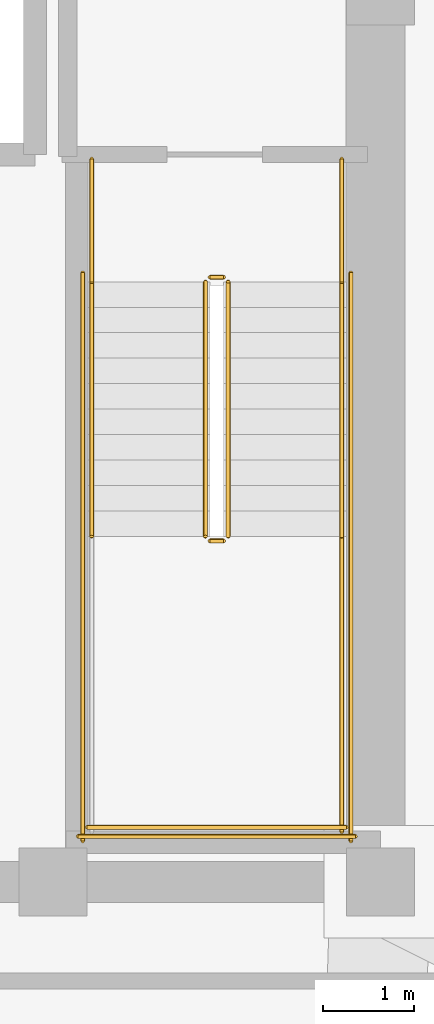
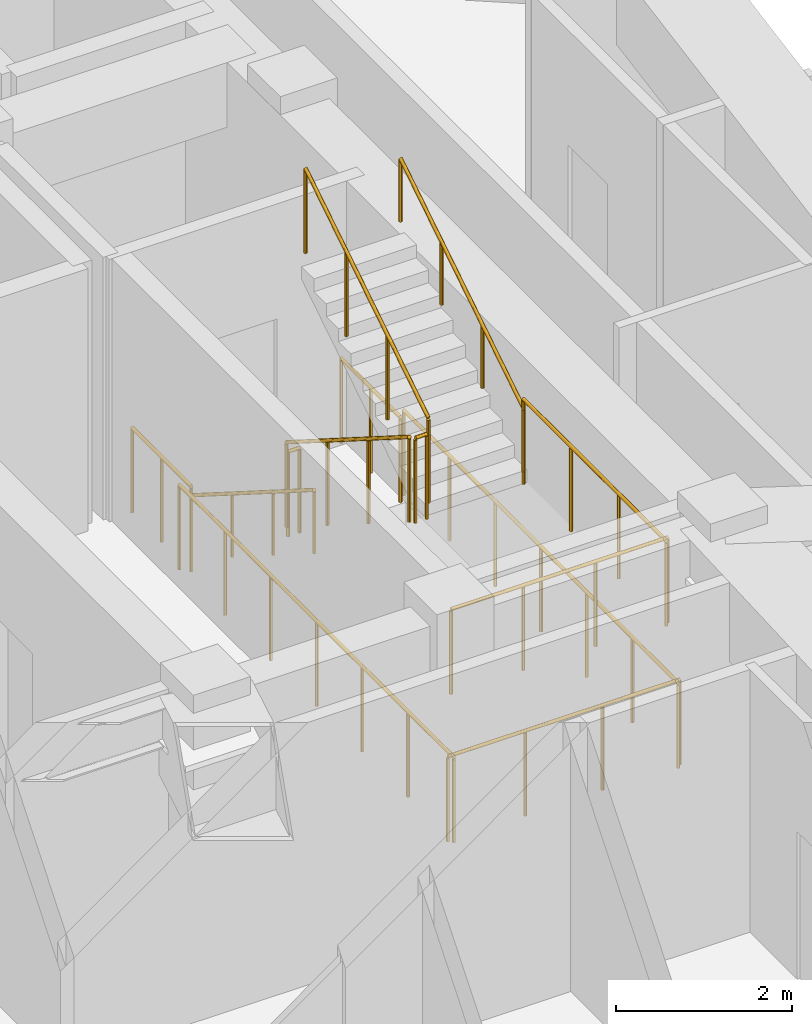
# One storey, part 16 of 16: 13 railings.
"""IFC4 building model written with IfcOpenShell, lengths in metres."""

from ifc_helpers import new_model, si_unit, direction, frame, origin, origin_2d, place, context, subcontext, project, spatial, circle, extrude, material, type_object, element, save


model = new_model("IFC4")

# Units and contexts
model_context = context("Model", 3, precision=1e-05, world=origin(), true_north=direction((0.0, 1.0)))
body_context = subcontext(model_context, "Body", "Model", "MODEL_VIEW")
ifc_project = project(units=[si_unit("LENGTHUNIT", "METRE"), si_unit("AREAUNIT", "SQUARE_METRE"), si_unit("VOLUMEUNIT", "CUBIC_METRE"), si_unit("PLANEANGLEUNIT", "RADIAN"), si_unit("MASSUNIT", "GRAM", prefix="KILO")], contexts=[model_context])

# Site, building, storey
site_placement = place(None, origin())
site = spatial("IfcSite", under=ifc_project, at=site_placement, CompositionType="ELEMENT")
building_placement = place(site_placement, origin())
building = spatial("IfcBuilding", under=site, at=building_placement, Name="Voryun Gate Residences", CompositionType="ELEMENT")
storey_placement = place(building_placement, frame((0.0, 0.0, 260.0)))
storey = spatial("IfcBuildingStorey", under=building, at=storey_placement, Name="L64", CompositionType="ELEMENT", Elevation=260.0)

# Railings
ifc_material_1 = material(Name="Painted steel", Category="steel")
railing_type_1 = type_object("IfcRailingType", Name="RAIL_STAIR_GUARD_1200", PredefinedType="GUARDRAIL", material=ifc_material_1)
railing_1_placement = place(storey_placement, frame((17.27490234375, -0.800048828125, 0.17724609375)))
element("IfcRailing", 1, at=railing_1_placement, inside=storey, type_object=railing_type_1, Name="L64 ST-E1 stair guard 1", PredefinedType="GUARDRAIL", context=body_context, shape_type="SweptSolid", body=[
    extrude(circle(Radius=0.02392578125, at=origin_2d()), frame((0.0, 0.0, 1.17578125), z_axis=(0.0, -0.844908973607, 0.534910110503), x_axis=(1.0, 0.0, 0.0)), (0.0, 0.0, 1.0), 3.31396484375),
    extrude(circle(Radius=0.02099609375, at=origin_2d()), origin(), (0.0, 0.0, 1.0), 1.15185546875),
    extrude(circle(Radius=0.02099609375, at=origin_2d()), frame((0.0, -0.933349609375, 0.5908203125)), (0.0, 0.0, 1.0), 1.15185546875),
    extrude(circle(Radius=0.02099609375, at=origin_2d()), frame((0.0, -1.86669921875, 1.181884765625)), (0.0, 0.0, 1.0), 1.15185546875),
    extrude(circle(Radius=0.02099609375, at=origin_2d()), frame((0.0, -2.800048828125, 1.772705078125)), (0.0, 0.0, 1.0), 1.15185546875),
])
railing_2_placement = place(storey_placement, frame((17.324951171875, -3.64990234375, 1.949951171875)))
element("IfcRailing", 2, at=railing_2_placement, inside=storey, type_object=railing_type_1, Name="L64 ST-E1 stair guard 2", PredefinedType="GUARDRAIL", context=body_context, shape_type="SweptSolid", body=[
    extrude(circle(Radius=0.02392578125, at=origin_2d()), frame((0.0, 0.0, 1.17578125), z_axis=(1.0, 0.0, 0.0), x_axis=(0.0, 1.0, 0.0)), (0.0, 0.0, 1.0), 0.150146484375),
    extrude(circle(Radius=0.02099609375, at=origin_2d()), origin(), (0.0, 0.0, 1.0), 1.15185546875),
    extrude(circle(Radius=0.02099609375, at=origin_2d()), frame((0.150146484375, 0.0, 0.0)), (0.0, 0.0, 1.0), 1.15185546875),
])
railing_3_placement = place(storey_placement, frame((18.77490234375, -3.60009765625, 1.949951171875)))
element("IfcRailing", 3, at=railing_3_placement, inside=storey, type_object=railing_type_1, Name="L64 ST-E1 stair guard 4", PredefinedType="GUARDRAIL", context=body_context, shape_type="SweptSolid", body=[
    extrude(circle(Radius=0.02392578125, at=origin_2d()), frame((0.0, 0.0, 1.17578125), z_axis=(0.0, -1.0, 0.0), x_axis=(1.0, 0.0, 0.0)), (0.0, 0.0, 1.0), 3.25),
    extrude(circle(Radius=0.02099609375, at=origin_2d()), origin(), (0.0, 0.0, 1.0), 1.15185546875),
    extrude(circle(Radius=0.02099609375, at=origin_2d()), frame((0.0, -1.083251953125, 0.0)), (0.0, 0.0, 1.0), 1.15185546875),
    extrude(circle(Radius=0.02099609375, at=origin_2d()), frame((0.0, -2.166748046875, 0.0)), (0.0, 0.0, 1.0), 1.15185546875),
    extrude(circle(Radius=0.02099609375, at=origin_2d()), frame((0.0, -3.25, 0.0)), (0.0, 0.0, 1.0), 1.15185546875),
])
railing_4_placement = place(storey_placement, frame((15.97509765625, -6.800048828125, 1.949951171875)))
element("IfcRailing", 4, at=railing_4_placement, inside=storey, type_object=railing_type_1, Name="L64 ST-E1 stair guard 5", PredefinedType="GUARDRAIL", context=body_context, shape_type="SweptSolid", body=[
    extrude(circle(Radius=0.02392578125, at=origin_2d()), frame((0.0, 0.0, 1.17578125), z_axis=(1.0, 0.0, 0.0), x_axis=(0.0, 1.0, 0.0)), (0.0, 0.0, 1.0), 2.849853515625),
    extrude(circle(Radius=0.02099609375, at=origin_2d()), origin(), (0.0, 0.0, 1.0), 1.15185546875),
    extrude(circle(Radius=0.02099609375, at=origin_2d()), frame((0.949951171875, 0.0, 0.0)), (0.0, 0.0, 1.0), 1.15185546875),
    extrude(circle(Radius=0.02099609375, at=origin_2d()), frame((1.89990234375, 0.0, 0.0)), (0.0, 0.0, 1.0), 1.15185546875),
    extrude(circle(Radius=0.02099609375, at=origin_2d()), frame((2.849853515625, 0.0, 0.0)), (0.0, 0.0, 1.0), 1.15185546875),
])
railing_5_placement = place(storey_placement, frame((17.52490234375, -3.60009765625, 2.127197265625)))
element("IfcRailing", 5, at=railing_5_placement, inside=storey, type_object=railing_type_1, Name="L64 ST-E1 stair guard 6", PredefinedType="GUARDRAIL", context=body_context, shape_type="SweptSolid", body=[
    extrude(circle(Radius=0.02392578125, at=origin_2d()), frame((0.0, 0.0, 1.17578125), z_axis=(0.0, 0.844908973607, 0.534910110503), x_axis=(-1.0, 0.0, 0.0)), (0.0, 0.0, 1.0), 3.31396484375),
    extrude(circle(Radius=0.02099609375, at=origin_2d()), origin(), (0.0, 0.0, 1.0), 1.15185546875),
    extrude(circle(Radius=0.02099609375, at=origin_2d()), frame((0.0, 0.933349609375, 0.5908203125)), (0.0, 0.0, 1.0), 1.15185546875),
    extrude(circle(Radius=0.02099609375, at=origin_2d()), frame((0.0, 1.86669921875, 1.181884765625)), (0.0, 0.0, 1.0), 1.15185546875),
    extrude(circle(Radius=0.02099609375, at=origin_2d()), frame((0.0, 2.800048828125, 1.772705078125)), (0.0, 0.0, 1.0), 1.15185546875),
])
railing_6_placement = place(storey_placement, frame((17.324951171875, -0.75, 0.0)))
element("IfcRailing", 6, at=railing_6_placement, inside=storey, type_object=railing_type_1, Name="L64 ST-E1 stair guard 7", PredefinedType="GUARDRAIL", context=body_context, shape_type="SweptSolid", body=[
    extrude(circle(Radius=0.02392578125, at=origin_2d()), frame((0.0, 0.0, 1.17578125), z_axis=(1.0, 0.0, 0.0), x_axis=(0.0, 1.0, 0.0)), (0.0, 0.0, 1.0), 0.150146484375),
    extrude(circle(Radius=0.02099609375, at=origin_2d()), origin(), (0.0, 0.0, 1.0), 1.15185546875),
    extrude(circle(Radius=0.02099609375, at=origin_2d()), frame((0.150146484375, 0.0, 0.0)), (0.0, 0.0, 1.0), 1.15185546875),
])
for number, where, name in (
    (7, (16.02490234375, 0.550048828125, 0.0), "L64 ST-E1 stair guard 8"),
    (8, (18.77490234375, 0.550048828125, 0.0), "L64 ST-E1 stair guard 9"),
):
    element("IfcRailing", number, at=place(storey_placement, frame(where)), inside=storey, type_object=railing_type_1, Name=name, PredefinedType="GUARDRAIL", context=body_context, shape_type="SweptSolid", body=[
        extrude(circle(Radius=0.02392578125, at=origin_2d()), frame((0.0, 0.0, 1.17578125), z_axis=(0.0, -1.0, 0.0), x_axis=(1.0, 0.0, 0.0)), (0.0, 0.0, 1.0), 1.35009765625),
        extrude(circle(Radius=0.02099609375, at=origin_2d()), origin(), (0.0, 0.0, 1.0), 1.15185546875),
        extrude(circle(Radius=0.02099609375, at=origin_2d()), frame((0.0, -0.675048828125, 0.0)), (0.0, 0.0, 1.0), 1.15185546875),
        extrude(circle(Radius=0.02099609375, at=origin_2d()), frame((0.0, -1.35009765625, 0.0)), (0.0, 0.0, 1.0), 1.15185546875),
    ])
for number, where, name in (
    (9, (15.925048828125, -0.699951171875, 0.0), "L64 ST-E1 stair guard 10"),
    (10, (18.875, -0.699951171875, 0.0), "L64 ST-E1 stair guard 11"),
):
    element("IfcRailing", number, at=place(storey_placement, frame(where)), inside=storey, type_object=railing_type_1, Name=name, PredefinedType="GUARDRAIL", context=body_context, shape_type="SweptSolid", body=[
        extrude(circle(Radius=0.02392578125, at=origin_2d()), frame((0.0, 0.0, 1.17578125), z_axis=(0.0, -1.0, 0.0), x_axis=(1.0, 0.0, 0.0)), (0.0, 0.0, 1.0), 6.25),
        extrude(circle(Radius=0.02099609375, at=origin_2d()), origin(), (0.0, 0.0, 1.0), 1.15185546875),
        extrude(circle(Radius=0.02099609375, at=origin_2d()), frame((0.0, -1.041748046875, 0.0)), (0.0, 0.0, 1.0), 1.15185546875),
        extrude(circle(Radius=0.02099609375, at=origin_2d()), frame((0.0, -2.083251953125, 0.0)), (0.0, 0.0, 1.0), 1.15185546875),
        extrude(circle(Radius=0.02099609375, at=origin_2d()), frame((0.0, -3.125, 0.0)), (0.0, 0.0, 1.0), 1.15185546875),
        extrude(circle(Radius=0.02099609375, at=origin_2d()), frame((0.0, -4.166748046875, 0.0)), (0.0, 0.0, 1.0), 1.15185546875),
        extrude(circle(Radius=0.02099609375, at=origin_2d()), frame((0.0, -5.208251953125, 0.0)), (0.0, 0.0, 1.0), 1.15185546875),
        extrude(circle(Radius=0.02099609375, at=origin_2d()), frame((0.0, -6.25, 0.0)), (0.0, 0.0, 1.0), 1.15185546875),
    ])
railing_7_placement = place(storey_placement, frame((15.875, -6.89990234375, 0.0)))
element("IfcRailing", 11, at=railing_7_placement, inside=storey, type_object=railing_type_1, Name="L64 ST-E1 stair guard 12", PredefinedType="GUARDRAIL", context=body_context, shape_type="SweptSolid", body=[
    extrude(circle(Radius=0.02392578125, at=origin_2d()), frame((0.0, 0.0, 1.17578125), z_axis=(1.0, 0.0, 0.0), x_axis=(0.0, 1.0, 0.0)), (0.0, 0.0, 1.0), 3.050048828125),
    extrude(circle(Radius=0.02099609375, at=origin_2d()), origin(), (0.0, 0.0, 1.0), 1.15185546875),
    extrude(circle(Radius=0.02099609375, at=origin_2d()), frame((1.0166015625, 0.0, 0.0)), (0.0, 0.0, 1.0), 1.15185546875),
    extrude(circle(Radius=0.02099609375, at=origin_2d()), frame((2.033447265625, 0.0, 0.0)), (0.0, 0.0, 1.0), 1.15185546875),
    extrude(circle(Radius=0.02099609375, at=origin_2d()), frame((3.050048828125, 0.0, 0.0)), (0.0, 0.0, 1.0), 1.15185546875),
])
ifc_material_2 = material(Name="Painted steel", Category="steel")
railing_type_2 = type_object("IfcRailingType", Name="RAIL_STAIR_HANDRAIL_900", PredefinedType="HANDRAIL", material=ifc_material_2)
railing_8_placement = place(storey_placement, frame((16.02490234375, -0.800048828125, 0.17724609375)))
element("IfcRailing", 12, at=railing_8_placement, inside=storey, type_object=railing_type_2, Name="L64 ST-E1 stair handrail 1", PredefinedType="HANDRAIL", context=body_context, shape_type="SweptSolid", body=[
    extrude(circle(Radius=0.02392578125, at=origin_2d()), frame((0.0, 0.0, 0.8759765625), z_axis=(0.0, -0.844908973607, 0.534910110503), x_axis=(1.0, 0.0, 0.0)), (0.0, 0.0, 1.0), 3.31396484375),
    extrude(circle(Radius=0.02099609375, at=origin_2d()), origin(), (0.0, 0.0, 1.0), 0.851806640625),
    extrude(circle(Radius=0.02099609375, at=origin_2d()), frame((0.0, -0.933349609375, 0.5908203125)), (0.0, 0.0, 1.0), 0.851806640625),
    extrude(circle(Radius=0.02099609375, at=origin_2d()), frame((0.0, -1.86669921875, 1.181884765625)), (0.0, 0.0, 1.0), 0.851806640625),
    extrude(circle(Radius=0.02099609375, at=origin_2d()), frame((0.0, -2.800048828125, 1.772705078125)), (0.0, 0.0, 1.0), 0.851806640625),
])
railing_9_placement = place(storey_placement, frame((18.77490234375, -3.60009765625, 2.127197265625)))
element("IfcRailing", 13, at=railing_9_placement, inside=storey, type_object=railing_type_2, Name="L64 ST-E1 stair handrail 2", PredefinedType="HANDRAIL", context=body_context, shape_type="SweptSolid", body=[
    extrude(circle(Radius=0.02392578125, at=origin_2d()), frame((0.0, 0.0, 0.8759765625), z_axis=(0.0, 0.844908973607, 0.534910110503), x_axis=(-1.0, 0.0, 0.0)), (0.0, 0.0, 1.0), 3.31396484375),
    extrude(circle(Radius=0.02099609375, at=origin_2d()), origin(), (0.0, 0.0, 1.0), 0.851806640625),
    extrude(circle(Radius=0.02099609375, at=origin_2d()), frame((0.0, 0.933349609375, 0.5908203125)), (0.0, 0.0, 1.0), 0.851806640625),
    extrude(circle(Radius=0.02099609375, at=origin_2d()), frame((0.0, 1.86669921875, 1.181884765625)), (0.0, 0.0, 1.0), 0.851806640625),
    extrude(circle(Radius=0.02099609375, at=origin_2d()), frame((0.0, 2.800048828125, 1.772705078125)), (0.0, 0.0, 1.0), 0.851806640625),
])

save(model, "model.ifc")
